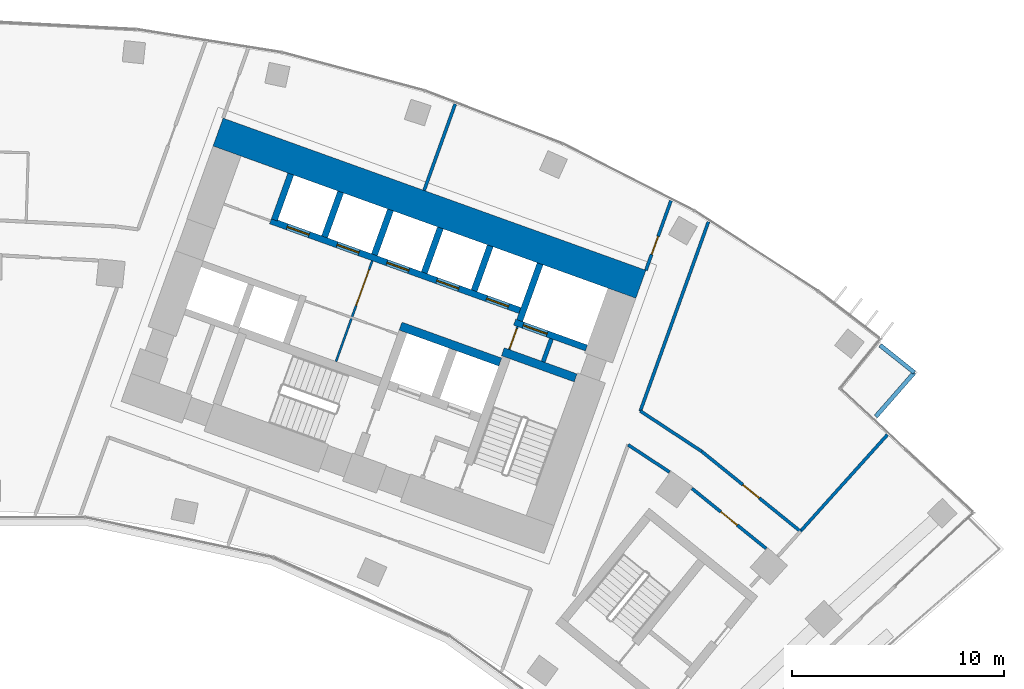
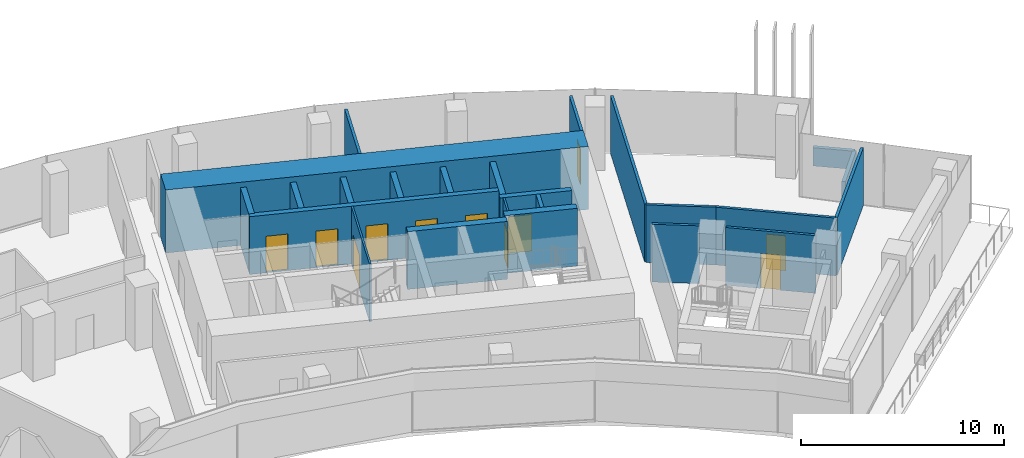
# One storey, part 17 of 20: 24 walls, 11 doors, 11 openings.
"""IFC4 building model written with IfcOpenShell, lengths in metres."""

import ifcopenshell
import ifcopenshell.guid

model = None  # the IFC model being written
_history = None  # IfcOwnerHistory: only IFC2X3 demands one
_inside = {}  # id of a spatial element -> (the spatial element, [elements in it])
_under = {}  # id of a project, library or spatial element -> (it, [spatial elements below it])
_declared = {}  # id of a project -> (the project, [libraries it declares])
_typed = {}  # id of a type object -> (the type object, [elements of that type])
_made_of = {}  # id of a material, layer set ... -> (it, [elements and type objects made of it])


def new_model(schema):
    """Start an empty IFC model of exactly this schema.

    Asked for "IFC4X3", IfcOpenShell would pick the latest addendum, in which some entities
    have other attributes; the version numbers below select the first issue.
    IFC2X3 requires an IfcOwnerHistory on every rooted entity: one is made here for all.
    """
    global model, _history
    if schema == "IFC4X3":
        model = ifcopenshell.file(schema_version=(4, 3, 0, 0))
    else:
        model = ifcopenshell.file(schema=schema)
    _inside.clear()
    _under.clear()
    _declared.clear()
    _typed.clear()
    _made_of.clear()
    _history = None
    if model.schema == "IFC2X3":
        org = make("IfcOrganization", Name="unknown")
        user = make(
            "IfcPersonAndOrganization",
            ThePerson=make("IfcPerson", FamilyName="unknown"),
            TheOrganization=org,
        )
        app = make(
            "IfcApplication",
            ApplicationDeveloper=org,
            Version="unknown",
            ApplicationFullName="unknown",
            ApplicationIdentifier="unknown",
        )
        _history = make(
            "IfcOwnerHistory",
            OwningUser=user,
            OwningApplication=app,
            ChangeAction="ADDED",
            CreationDate=0,
        )
    return model


def make(cls, **values):
    """One entity of the class cls with the attributes given. An attribute that is None is left unset."""
    return model.create_entity(
        cls, **{name: value for name, value in values.items() if value is not None}
    )


def rooted(cls, **values):
    """An entity with a GlobalId (a new one), such as an element, a storey or a relation."""
    return make(cls, GlobalId=ifcopenshell.guid.new(), OwnerHistory=_history, **values)


def si_unit(unit_type, name, prefix=None):
    """IfcSIUnit, for example si_unit("LENGTHUNIT", "METRE", prefix="MILLI")."""
    return make("IfcSIUnit", UnitType=unit_type, Prefix=prefix, Name=name)


def assignment(units):
    """IfcUnitAssignment: the units of a project."""
    return None if units is None else make("IfcUnitAssignment", Units=units)


def point(xyz):
    """IfcCartesianPoint."""
    return None if xyz is None else make("IfcCartesianPoint", Coordinates=xyz)


def direction(xyz):
    """IfcDirection."""
    return None if xyz is None else make("IfcDirection", DirectionRatios=xyz)


def frame(location, z_axis=None, x_axis=None):
    """IfcAxis2Placement3D, a coordinate frame: its origin and axes. An axis left out is left unset."""
    return make(
        "IfcAxis2Placement3D",
        Location=point(location),
        Axis=direction(z_axis),
        RefDirection=direction(x_axis),
    )


def frame_2d(location, x_axis=None):
    """IfcAxis2Placement2D, a coordinate frame in the plane: its origin and x axis."""
    return make(
        "IfcAxis2Placement2D", Location=point(location), RefDirection=direction(x_axis)
    )


def origin():
    """The frame at (0, 0, 0) with its axes left unset."""
    return frame((0.0, 0.0, 0.0))


def place(relative_to, where):
    """IfcLocalPlacement: puts the frame where relative to a parent placement (None: the world)."""
    return make(
        "IfcLocalPlacement", PlacementRelTo=relative_to, RelativePlacement=where
    )


def context(
    kind, dimensions, precision=None, world=None, true_north=None, identifier=None
):
    """IfcGeometricRepresentationContext, for example the 3D "Model" context."""
    return make(
        "IfcGeometricRepresentationContext",
        ContextIdentifier=identifier,
        ContextType=kind,
        CoordinateSpaceDimension=dimensions,
        Precision=precision,
        WorldCoordinateSystem=world,
        TrueNorth=true_north,
    )


def subcontext(parent, identifier, kind, view, scale=None):
    """IfcGeometricRepresentationSubContext, for example "Body" below "Model"."""
    return make(
        "IfcGeometricRepresentationSubContext",
        ContextIdentifier=identifier,
        ContextType=kind,
        ParentContext=parent,
        TargetScale=scale,
        TargetView=view,
    )


def project(units=None, contexts=None):
    """IfcProject with its units and contexts."""
    return rooted(
        "IfcProject",
        Name="project",
        RepresentationContexts=contexts,
        UnitsInContext=assignment(units),
    )


def spatial(cls, under=None, at=None, **own):
    """A site, building, storey or space (cls), placed at a placement, below another one or the project."""
    s = rooted(cls, ObjectPlacement=at, **own)
    if under is not None:
        _under.setdefault(under.id(), (under, []))[1].append(s)
    return s


def profile(cls, at=None, kind="AREA", **sizes):
    """A parametric profile (cls). Its sizes go by their IFC names, for example OverallWidth=200.0."""
    return make(cls, ProfileType=kind, Position=at, **sizes)


def rectangle(**sizes):
    """IfcRectangleProfileDef."""
    return profile("IfcRectangleProfileDef", **sizes)


def extrude(swept, where, along, depth):
    """IfcExtrudedAreaSolid: the profile swept, set in the frame where, extruded along a direction by depth."""
    return make(
        "IfcExtrudedAreaSolid",
        SweptArea=swept,
        Position=where,
        ExtrudedDirection=direction(along),
        Depth=depth,
    )


def shape(context_of_items, identifier, shape_type, items):
    """IfcShapeRepresentation: the items that make up one representation, for example the "Body"."""
    return make(
        "IfcShapeRepresentation",
        ContextOfItems=context_of_items,
        RepresentationIdentifier=identifier,
        RepresentationType=shape_type,
        Items=items,
    )


def material(Name=None, Category=None):
    """IfcMaterial."""
    return make("IfcMaterial", Name=Name, Category=Category)


def layer(
    of_material, thickness, ventilated=None, Name=None, Category=None, Priority=None
):
    """IfcMaterialLayer: one layer of a wall or slab, of a material (None: an air gap)."""
    return make(
        "IfcMaterialLayer",
        Material=of_material,
        LayerThickness=thickness,
        IsVentilated=ventilated,
        Name=Name,
        Category=Category,
        Priority=Priority,
    )


def layer_set(layers, Name=None):
    """IfcMaterialLayerSet."""
    return make("IfcMaterialLayerSet", MaterialLayers=layers, LayerSetName=Name)


def made_of(thing, what):
    """Note that an element or type object is made of a material, layer set ...; save() writes the relation."""
    if what is not None:
        _made_of.setdefault(what.id(), (what, []))[1].append(thing)
    return thing


def type_object(cls, material=None, **own):
    """A type object (cls), such as IfcWallType, which elements share."""
    return made_of(rooted(cls, **own), material)


def element(
    cls,
    number,
    at=None,
    inside=None,
    cuts=None,
    type_object=None,
    material=None,
    context=None,
    identifier="Body",
    shape_type=None,
    held_by="IfcProductDefinitionShape",
    body=None,
    shapes=None,
    **own,
):
    """One element of the class cls, such as IfcWall. Its Tag is "e" and its number.

    at: its placement. inside: the storey or other place that contains it. cuts: it is an
    opening in that element (IfcRelVoidsElement). A single representation is given by context,
    identifier, shape_type and body (its items); several are given by shapes. held_by: the class
    of the entity that holds the representations. save() writes the other relations.
    """
    e = rooted(cls, Tag="e%d" % number, ObjectPlacement=at, **own)
    if body is not None:
        shapes = [shape(context, identifier, shape_type, body)]
    if shapes is not None:
        e.Representation = make(held_by, Representations=shapes)
    if inside is not None:
        _inside.setdefault(inside.id(), (inside, []))[1].append(e)
    if cuts is not None:
        rooted(
            "IfcRelVoidsElement", RelatingBuildingElement=cuts, RelatedOpeningElement=e
        )
    if type_object is not None:
        _typed.setdefault(type_object.id(), (type_object, []))[1].append(e)
    return made_of(e, material)


def fill(opening, filler):
    """IfcRelFillsElement: the door or window that sits in an opening."""
    return rooted(
        "IfcRelFillsElement",
        RelatingOpeningElement=opening,
        RelatedBuildingElement=filler,
    )


def aggregate(whole, parts):
    """IfcRelAggregates: a whole, such as a stair, and the parts it consists of."""
    return rooted("IfcRelAggregates", RelatingObject=whole, RelatedObjects=parts)


def save(model, path):
    """Write the relations noted so far, then the file.

    IfcRelAggregates (storeys below a building ...), IfcRelContainedInSpatialStructure (elements
    in a storey), IfcRelDefinesByType, IfcRelAssociatesMaterial and IfcRelDeclares: one each for
    every whole, place, type object, material and project.
    """
    for whole, parts in _under.values():
        aggregate(whole, parts)
    for where, things in _inside.values():
        rooted(
            "IfcRelContainedInSpatialStructure",
            RelatedElements=things,
            RelatingStructure=where,
        )
    for kind, things in _typed.values():
        rooted("IfcRelDefinesByType", RelatedObjects=things, RelatingType=kind)
    for what, things in _made_of.values():
        rooted("IfcRelAssociatesMaterial", RelatedObjects=things, RelatingMaterial=what)
    for by, libraries in _declared.values():
        rooted("IfcRelDeclares", RelatingContext=by, RelatedDefinitions=libraries)
    model.write(path)


model = new_model("IFC4")

# Units and contexts
model_context = context("Model", 3, precision=1e-05, world=origin(), true_north=direction((0.0, 1.0)))
body_context = subcontext(model_context, "Body", "Model", "MODEL_VIEW")
ifc_project = project(units=[si_unit("LENGTHUNIT", "METRE"), si_unit("AREAUNIT", "SQUARE_METRE"), si_unit("VOLUMEUNIT", "CUBIC_METRE"), si_unit("PLANEANGLEUNIT", "RADIAN"), si_unit("MASSUNIT", "GRAM", prefix="KILO")], contexts=[model_context])

# Site, building, storey
site_placement = place(None, origin())
site = spatial("IfcSite", under=ifc_project, at=site_placement, CompositionType="ELEMENT")
building_placement = place(site_placement, origin())
building = spatial("IfcBuilding", under=site, at=building_placement, Name="Stone Belt Terrace Tower", CompositionType="ELEMENT")
storey_placement = place(building_placement, frame((0.0, 0.0, 182.0)))
storey = spatial("IfcBuildingStorey", under=building, at=storey_placement, Name="L44", CompositionType="ELEMENT", Elevation=182.0)

# Wall, opening, door
ifc_material_1 = material(Name="Plasterboard partition")
ifc_layer_1 = layer(ifc_material_1, 0.10009765625)
ifc_layer_set_1 = layer_set([ifc_layer_1], Name="Core partition 100")
wall_type_1 = type_object("IfcWallType", Name="Core partition 100", PredefinedType="PARTITIONING", material=ifc_layer_set_1)
wall_1_placement = place(storey_placement, frame((24.555908203125, 51.10400390625, 0.0), z_axis=(0.0, 0.0, 1.0), x_axis=(0.338621735342, 0.94092258999, 0.0)))
wall_1 = element("IfcWall", 1, at=wall_1_placement, inside=storey, type_object=wall_type_1, Name="Core B wall", PredefinedType="PARTITIONING", context=body_context, shape_type="SweptSolid", body=[
    extrude(rectangle(XDim=1.14990234375, YDim=0.10009765625, at=frame_2d((0.574951171875, 0.0))), origin(), (0.0, 0.0, 1.0), 3.47998046875),
])
opening_1_placement = place(wall_1_placement, frame((0.050048828125, 0.0, 0.0)))
opening_1 = element("IfcOpeningElement", 2, at=opening_1_placement, cuts=wall_1, Name="Opening L44-C19", PredefinedType="OPENING", context=body_context, shape_type="SweptSolid", body=[
    extrude(rectangle(XDim=1.0, YDim=2.10009765625, at=frame_2d((0.5, 1.050048828125))), frame((0.0, 0.06005859375, 0.0), z_axis=(0.0, -1.0, 0.0), x_axis=(1.0, 0.0, 0.0)), (0.0, 0.0, 1.0), 0.1201171875),
])
ifc_material_2 = material(Name="Timber door leaf", Category="wood")
door_type_1 = type_object("IfcDoorType", Name="Core room door 1000", OperationType="SINGLE_SWING_LEFT", PredefinedType="DOOR", material=ifc_material_2)
door_1_placement = place(opening_1_placement, origin())
door_1 = element("IfcDoor", 3, at=door_1_placement, inside=storey, type_object=door_type_1, Name="Service lift lobby door core B", OperationType="SINGLE_SWING_RIGHT", OverallHeight=2.10009765625, OverallWidth=1.0, PredefinedType="DOOR", context=body_context, shape_type="SweptSolid", body=[
    extrude(rectangle(XDim=1.0, YDim=2.10009765625, at=frame_2d((0.5, 1.050048828125))), frame((0.0, 0.02490234375, 0.0), z_axis=(0.0, -1.0, 0.0), x_axis=(1.0, 0.0, 0.0)), (0.0, 0.0, 1.0), 0.050048828125),
])
fill(opening_1, door_1)

wall_2_placement = place(storey_placement, frame((16.38134765625, 50.53857421875, 0.0), z_axis=(0.0, 0.0, 1.0), x_axis=(0.33860476744, 0.940928696271, 0.0)))
wall_2 = element("IfcWall", 4, at=wall_2_placement, inside=storey, type_object=wall_type_1, Name="Core B wall", PredefinedType="PARTITIONING", context=body_context, shape_type="SweptSolid", body=[
    extrude(rectangle(XDim=5.050048828125, YDim=0.10009765625, at=frame_2d((2.52490234375, 0.0))), origin(), (0.0, 0.0, 1.0), 3.47998046875),
])
opening_2_placement = place(wall_2_placement, frame((2.800048828125, 0.0, 0.0)))
opening_2 = element("IfcOpeningElement", 5, at=opening_2_placement, cuts=wall_2, Name="Opening L44-C20", PredefinedType="OPENING", context=body_context, shape_type="SweptSolid", body=[
    extrude(rectangle(XDim=1.800048828125, YDim=2.10009765625, at=frame_2d((0.89990234375, 1.050048828125))), frame((0.0, 0.06005859375, 0.0), z_axis=(0.0, -1.0, 0.0), x_axis=(1.0, 0.0, 0.0)), (0.0, 0.0, 1.0), 0.1201171875),
])
ifc_material_3 = material(Name="Glazed aluminium door leaf", Category="aluminium")
door_type_2 = type_object("IfcDoorType", Name="Lift lobby entrance door 1800", OperationType="DOUBLE_DOOR_SINGLE_SWING", PredefinedType="DOOR", material=ifc_material_3)
door_2_placement = place(opening_2_placement, origin())
door_2 = element("IfcDoor", 6, at=door_2_placement, inside=storey, type_object=door_type_2, Name="Lift lobby double door core B", OperationType="DOUBLE_DOOR_SINGLE_SWING", OverallHeight=2.10009765625, OverallWidth=1.800048828125, PredefinedType="DOOR", context=body_context, shape_type="SweptSolid", body=[
    extrude(rectangle(XDim=1.800048828125, YDim=2.10009765625, at=frame_2d((0.89990234375, 1.050048828125))), frame((0.0, 0.02490234375, 0.0), z_axis=(0.0, -1.0, 0.0), x_axis=(1.0, 0.0, 0.0)), (0.0, 0.0, 1.0), 0.050048828125),
])
fill(opening_2, door_2)

# Walls
ifc_material_4 = material(Name="Concrete B80", Category="concrete")
ifc_layer_2 = layer(ifc_material_4, 1.39990234375)
ifc_layer_set_2 = layer_set([ifc_layer_2], Name="Core wall 1400 B80")
wall_type_2 = type_object("IfcWallType", Name="Core wall 1400 B80", PredefinedType="SHEAR", material=ifc_layer_set_2)
wall_3_placement = place(storey_placement, frame((10.81787109375, 61.362060546875, 0.0), z_axis=(0.0, 0.0, 1.0), x_axis=(0.940919704758, -0.338629752382, 0.0)))
element("IfcWall", 7, at=wall_3_placement, inside=storey, type_object=wall_type_2, Name="Core B wall convex L44", PredefinedType="SHEAR", context=body_context, shape_type="SweptSolid", body=[
    extrude(rectangle(XDim=21.199951171875, YDim=1.39990234375, at=frame_2d((10.60009765625, 0.0))), origin(), (0.0, 0.0, 1.0), 3.800048828125),
])
ifc_layer_3 = layer(ifc_material_4, 0.39990234375)
ifc_layer_set_3 = layer_set([ifc_layer_3], Name="Fire-fighting lift shaft wall 400")
wall_type_3 = type_object("IfcWallType", Name="Fire-fighting lift shaft wall 400", PredefinedType="SHEAR", material=ifc_layer_set_3)
wall_4_placement = place(storey_placement, frame((24.130615234375, 50.512939453125, 0.0), z_axis=(0.0, 0.0, 1.0), x_axis=(-0.94091168377, 0.338652038744, 0.0)))
element("IfcWall", 8, at=wall_4_placement, inside=storey, type_object=wall_type_3, Name="Core B wall", PredefinedType="SHEAR", context=body_context, shape_type="SweptSolid", body=[
    extrude(rectangle(XDim=5.000244140625, YDim=0.39990234375, at=frame_2d((2.5, 0.0))), origin(), (0.0, 0.0, 1.0), 3.47998046875),
])

# Wall, opening, door
ifc_layer_4 = layer(ifc_material_4, 0.300048828125)
ifc_layer_set_4 = layer_set([ifc_layer_4], Name="Lift shaft wall 300")
wall_type_4 = type_object("IfcWallType", Name="Lift shaft wall 300", PredefinedType="SHEAR", material=ifc_layer_set_4)
wall_5_placement = place(storey_placement, frame((28.195068359375, 51.17578125, 0.0), z_axis=(0.0, 0.0, 1.0), x_axis=(-0.940901243567, 0.338681044427, 0.0)))
wall_5 = element("IfcWall", 9, at=wall_5_placement, inside=storey, type_object=wall_type_4, Name="Core B wall", PredefinedType="SHEAR", context=body_context, shape_type="SweptSolid", body=[
    extrude(rectangle(XDim=3.599853515625, YDim=0.300048828125, at=frame_2d((1.7998046875, 0.0))), origin(), (0.0, 0.0, 1.0), 3.47998046875),
])
opening_3_placement = place(wall_5_placement, frame((1.969970703125, 0.0, 0.0)))
opening_3 = element("IfcOpeningElement", 10, at=opening_3_placement, cuts=wall_5, Name="Opening L44-LD16", PredefinedType="OPENING", context=body_context, shape_type="SweptSolid", body=[
    extrude(rectangle(XDim=1.199951171875, YDim=2.199951171875, at=frame_2d((0.60009765625, 1.10009765625))), frame((0.0, 0.159912109375, 0.0), z_axis=(0.0, -1.0, 0.0), x_axis=(1.0, 0.0, 0.0)), (0.0, 0.0, 1.0), 0.320068359375),
])
ifc_material_5 = material(Name="Stainless steel door leaf", Category="steel")
door_type_3 = type_object("IfcDoorType", Name="Landing door 1200", OperationType="SLIDING_TO_LEFT", PredefinedType="DOOR", material=ifc_material_5)
door_3_placement = place(opening_3_placement, origin())
door_3 = element("IfcDoor", 11, at=door_3_placement, inside=storey, type_object=door_type_3, Name="Landing door SV1 core B", OperationType="SLIDING_TO_LEFT", OverallHeight=2.199951171875, OverallWidth=1.199951171875, PredefinedType="DOOR", context=body_context, shape_type="SweptSolid", body=[
    extrude(rectangle(XDim=1.199951171875, YDim=2.199951171875, at=frame_2d((0.60009765625, 1.10009765625))), frame((0.0, 0.02490234375, 0.0), z_axis=(0.0, -1.0, 0.0), x_axis=(1.0, 0.0, 0.0)), (0.0, 0.0, 1.0), 0.050048828125),
])
fill(opening_3, door_3)

# Wall
wall_6_placement = place(storey_placement, frame((25.046875, 52.46826171875, 0.0), z_axis=(0.0, 0.0, 1.0), x_axis=(0.338549588058, 0.940948551423, 0.0)))
element("IfcWall", 12, at=wall_6_placement, inside=storey, type_object=wall_type_4, Name="Core B wall", PredefinedType="SHEAR", context=body_context, shape_type="SweptSolid", body=[
    extrude(rectangle(XDim=2.849853515625, YDim=0.300048828125, at=frame_2d((1.4248046875, 0.0))), origin(), (0.0, 0.0, 1.0), 3.47998046875),
])

# Wall, openings, doors
wall_7_placement = place(storey_placement, frame((25.05810546875, 52.9423828125, 0.0), z_axis=(0.0, 0.0, 1.0), x_axis=(-0.940920770291, 0.338626791666, 0.0)))
wall_7 = element("IfcWall", 13, at=wall_7_placement, inside=storey, type_object=wall_type_4, Name="Core B wall", PredefinedType="SHEAR", context=body_context, shape_type="SweptSolid", body=[
    extrude(rectangle(XDim=12.500244140625, YDim=0.300048828125, at=frame_2d((6.25, 0.0))), origin(), (0.0, 0.0, 1.0), 3.47998046875),
])
opening_4_placement = place(wall_7_placement, frame((0.570068359375, 0.0, 0.0)))
opening_4 = element("IfcOpeningElement", 14, at=opening_4_placement, cuts=wall_7, Name="Opening L44-LD09", PredefinedType="OPENING", context=body_context, shape_type="SweptSolid", body=[
    extrude(rectangle(XDim=1.10009765625, YDim=2.199951171875, at=frame_2d((0.550048828125, 1.10009765625))), frame((0.0, 0.159912109375, 0.0), z_axis=(0.0, -1.0, 0.0), x_axis=(1.0, 0.0, 0.0)), (0.0, 0.0, 1.0), 0.320068359375),
])
opening_5_placement = place(wall_7_placement, frame((3.070068359375, 0.0, 0.0)))
opening_5 = element("IfcOpeningElement", 15, at=opening_5_placement, cuts=wall_7, Name="Opening L44-LD10", PredefinedType="OPENING", context=body_context, shape_type="SweptSolid", body=[
    extrude(rectangle(XDim=1.10009765625, YDim=2.199951171875, at=frame_2d((0.550048828125, 1.10009765625))), frame((0.0, 0.159912109375, 0.0), z_axis=(0.0, -1.0, 0.0), x_axis=(1.0, 0.0, 0.0)), (0.0, 0.0, 1.0), 0.320068359375),
])
opening_6_placement = place(wall_7_placement, frame((5.570068359375, 0.0, 0.0)))
opening_6 = element("IfcOpeningElement", 16, at=opening_6_placement, cuts=wall_7, Name="Opening L44-LD11", PredefinedType="OPENING", context=body_context, shape_type="SweptSolid", body=[
    extrude(rectangle(XDim=1.10009765625, YDim=2.199951171875, at=frame_2d((0.550048828125, 1.10009765625))), frame((0.0, 0.159912109375, 0.0), z_axis=(0.0, -1.0, 0.0), x_axis=(1.0, 0.0, 0.0)), (0.0, 0.0, 1.0), 0.320068359375),
])
opening_7_placement = place(wall_7_placement, frame((8.070068359375, 0.0, 0.0)))
opening_7 = element("IfcOpeningElement", 17, at=opening_7_placement, cuts=wall_7, Name="Opening L44-LD12", PredefinedType="OPENING", context=body_context, shape_type="SweptSolid", body=[
    extrude(rectangle(XDim=1.10009765625, YDim=2.199951171875, at=frame_2d((0.550048828125, 1.10009765625))), frame((0.0, 0.159912109375, 0.0), z_axis=(0.0, -1.0, 0.0), x_axis=(1.0, 0.0, 0.0)), (0.0, 0.0, 1.0), 0.320068359375),
])
opening_8_placement = place(wall_7_placement, frame((10.570068359375, 0.0, 0.0)))
opening_8 = element("IfcOpeningElement", 18, at=opening_8_placement, cuts=wall_7, Name="Opening L44-LD13", PredefinedType="OPENING", context=body_context, shape_type="SweptSolid", body=[
    extrude(rectangle(XDim=1.10009765625, YDim=2.199951171875, at=frame_2d((0.550048828125, 1.10009765625))), frame((0.0, 0.159912109375, 0.0), z_axis=(0.0, -1.0, 0.0), x_axis=(1.0, 0.0, 0.0)), (0.0, 0.0, 1.0), 0.320068359375),
])
door_type_4 = type_object("IfcDoorType", Name="Landing door 1100", OperationType="SLIDING_TO_LEFT", PredefinedType="DOOR", material=ifc_material_5)
door_4_placement = place(opening_4_placement, origin())
door_4 = element("IfcDoor", 19, at=door_4_placement, inside=storey, type_object=door_type_4, Name="Landing door MR1 core B", OperationType="SLIDING_TO_LEFT", OverallHeight=2.199951171875, OverallWidth=1.10009765625, PredefinedType="DOOR", context=body_context, shape_type="SweptSolid", body=[
    extrude(rectangle(XDim=1.10009765625, YDim=2.199951171875, at=frame_2d((0.550048828125, 1.10009765625))), frame((0.0, 0.02490234375, 0.0), z_axis=(0.0, -1.0, 0.0), x_axis=(1.0, 0.0, 0.0)), (0.0, 0.0, 1.0), 0.050048828125),
])
fill(opening_4, door_4)
door_5_placement = place(opening_5_placement, origin())
door_5 = element("IfcDoor", 20, at=door_5_placement, inside=storey, type_object=door_type_4, Name="Landing door MR2 core B", OperationType="SLIDING_TO_LEFT", OverallHeight=2.199951171875, OverallWidth=1.10009765625, PredefinedType="DOOR", context=body_context, shape_type="SweptSolid", body=[
    extrude(rectangle(XDim=1.10009765625, YDim=2.199951171875, at=frame_2d((0.550048828125, 1.10009765625))), frame((0.0, 0.02490234375, 0.0), z_axis=(0.0, -1.0, 0.0), x_axis=(1.0, 0.0, 0.0)), (0.0, 0.0, 1.0), 0.050048828125),
])
fill(opening_5, door_5)
door_6_placement = place(opening_6_placement, origin())
door_6 = element("IfcDoor", 21, at=door_6_placement, inside=storey, type_object=door_type_4, Name="Landing door MR3 core B", OperationType="SLIDING_TO_LEFT", OverallHeight=2.199951171875, OverallWidth=1.10009765625, PredefinedType="DOOR", context=body_context, shape_type="SweptSolid", body=[
    extrude(rectangle(XDim=1.10009765625, YDim=2.199951171875, at=frame_2d((0.550048828125, 1.10009765625))), frame((0.0, 0.02490234375, 0.0), z_axis=(0.0, -1.0, 0.0), x_axis=(1.0, 0.0, 0.0)), (0.0, 0.0, 1.0), 0.050048828125),
])
fill(opening_6, door_6)
door_7_placement = place(opening_7_placement, origin())
door_7 = element("IfcDoor", 22, at=door_7_placement, inside=storey, type_object=door_type_4, Name="Landing door MR4 core B", OperationType="SLIDING_TO_LEFT", OverallHeight=2.199951171875, OverallWidth=1.10009765625, PredefinedType="DOOR", context=body_context, shape_type="SweptSolid", body=[
    extrude(rectangle(XDim=1.10009765625, YDim=2.199951171875, at=frame_2d((0.550048828125, 1.10009765625))), frame((0.0, 0.02490234375, 0.0), z_axis=(0.0, -1.0, 0.0), x_axis=(1.0, 0.0, 0.0)), (0.0, 0.0, 1.0), 0.050048828125),
])
fill(opening_7, door_7)
door_8_placement = place(opening_8_placement, origin())
door_8 = element("IfcDoor", 23, at=door_8_placement, inside=storey, type_object=door_type_4, Name="Landing door MR5 core B", OperationType="SLIDING_TO_LEFT", OverallHeight=2.199951171875, OverallWidth=1.10009765625, PredefinedType="DOOR", context=body_context, shape_type="SweptSolid", body=[
    extrude(rectangle(XDim=1.10009765625, YDim=2.199951171875, at=frame_2d((0.550048828125, 1.10009765625))), frame((0.0, 0.02490234375, 0.0), z_axis=(0.0, -1.0, 0.0), x_axis=(1.0, 0.0, 0.0)), (0.0, 0.0, 1.0), 0.050048828125),
])
fill(opening_8, door_8)

# Walls
wall_8_placement = place(storey_placement, frame((22.897705078125, 53.87939453125, 0.0), z_axis=(0.0, 0.0, 1.0), x_axis=(0.338535034312, 0.940953787677, 0.0)))
element("IfcWall", 24, at=wall_8_placement, inside=storey, type_object=wall_type_4, Name="Core B wall", PredefinedType="SHEAR", context=body_context, shape_type="SweptSolid", body=[
    extrude(rectangle(XDim=2.25, YDim=0.300048828125, at=frame_2d((1.125, 0.0))), origin(), (0.0, 0.0, 1.0), 3.47998046875),
])
wall_9_placement = place(storey_placement, frame((20.54541015625, 54.72607421875, 0.0), z_axis=(0.0, 0.0, 1.0), x_axis=(0.338569601369, 0.940941350472, 0.0)))
element("IfcWall", 25, at=wall_9_placement, inside=storey, type_object=wall_type_4, Name="Core B wall", PredefinedType="SHEAR", context=body_context, shape_type="SweptSolid", body=[
    extrude(rectangle(XDim=2.249755859375, YDim=0.300048828125, at=frame_2d((1.125, 0.0))), origin(), (0.0, 0.0, 1.0), 3.47998046875),
])
wall_10_placement = place(storey_placement, frame((18.193115234375, 55.572509765625, 0.0), z_axis=(0.0, 0.0, 1.0), x_axis=(0.338535034312, 0.940953787677, 0.0)))
element("IfcWall", 26, at=wall_10_placement, inside=storey, type_object=wall_type_4, Name="Core B wall", PredefinedType="SHEAR", context=body_context, shape_type="SweptSolid", body=[
    extrude(rectangle(XDim=2.25, YDim=0.300048828125, at=frame_2d((1.125, 0.0))), origin(), (0.0, 0.0, 1.0), 3.47998046875),
])
wall_11_placement = place(storey_placement, frame((15.8408203125, 56.419189453125, 0.0), z_axis=(0.0, 0.0, 1.0), x_axis=(0.338569601369, 0.940941350472, 0.0)))
element("IfcWall", 27, at=wall_11_placement, inside=storey, type_object=wall_type_4, Name="Core B wall", PredefinedType="SHEAR", context=body_context, shape_type="SweptSolid", body=[
    extrude(rectangle(XDim=2.249755859375, YDim=0.300048828125, at=frame_2d((1.125, 0.0))), origin(), (0.0, 0.0, 1.0), 3.47998046875),
])
wall_12_placement = place(storey_placement, frame((13.471435546875, 57.218505859375, 0.0), z_axis=(0.0, 0.0, 1.0), x_axis=(0.338587917, 0.940934759939, 0.0)))
element("IfcWall", 28, at=wall_12_placement, inside=storey, type_object=wall_type_4, Name="Core B wall", PredefinedType="SHEAR", context=body_context, shape_type="SweptSolid", body=[
    extrude(rectangle(XDim=2.300048828125, YDim=0.300048828125, at=frame_2d((1.14990234375, 0.0))), origin(), (0.0, 0.0, 1.0), 3.47998046875),
])

# Wall, opening, door
ifc_material_6 = material(Name="Gypsum board partition")
ifc_layer_5 = layer(ifc_material_6, 0.14990234375)
ifc_layer_set_5 = layer_set([ifc_layer_5], Name="PARTITION 150 EI 60")
wall_type_5 = type_object("IfcWallType", Name="PARTITION 150 EI 60", PredefinedType="PARTITIONING", material=ifc_layer_set_5)
wall_13_placement = place(storey_placement, frame((31.001953125, 54.842041015625, 0.0), z_axis=(0.0, 0.0, 1.0), x_axis=(0.338662585219, 0.940907887826, 0.0)))
wall_13 = element("IfcWall", 29, at=wall_13_placement, inside=storey, type_object=wall_type_5, Name="L44/wall/i021", PredefinedType="PARTITIONING", context=body_context, shape_type="SweptSolid", body=[
    extrude(rectangle(XDim=3.49560546875, YDim=0.14990234375, at=frame_2d((1.747802734375, 0.0))), origin(), (0.0, 0.0, 1.0), 3.47998046875),
])
opening_9_placement = place(wall_13_placement, frame((0.798828125, 0.0, 0.0)))
opening_9 = element("IfcOpeningElement", 30, at=opening_9_placement, cuts=wall_13, Name="Opening D-C5-08", PredefinedType="OPENING", context=body_context, shape_type="SweptSolid", body=[
    extrude(rectangle(XDim=0.89990234375, YDim=2.10009765625, at=frame_2d((0.449951171875, 1.050048828125))), frame((0.0, 0.0849609375, 0.0), z_axis=(0.0, -1.0, 0.0), x_axis=(1.0, 0.0, 0.0)), (0.0, 0.0, 1.0), 0.169921875),
])
door_type_5 = type_object("IfcDoorType", Name="OFFICE DOOR 900 X 2100", OperationType="NOTDEFINED", PredefinedType="DOOR", material=ifc_material_2)
door_9_placement = place(opening_9_placement, origin())
door_9 = element("IfcDoor", 31, at=door_9_placement, inside=storey, type_object=door_type_5, Name="L44/door/i08", OperationType="SINGLE_SWING_LEFT", OverallHeight=2.10009765625, OverallWidth=0.89990234375, PredefinedType="DOOR", context=body_context, shape_type="SweptSolid", body=[
    extrude(rectangle(XDim=0.89990234375, YDim=2.10009765625, at=frame_2d((0.449951171875, 1.050048828125))), frame((0.0, 0.02490234375, 0.0), z_axis=(0.0, -1.0, 0.0), x_axis=(1.0, 0.0, 0.0)), (0.0, 0.0, 1.0), 0.050048828125),
])
fill(opening_9, door_9)

# Walls
wall_14_placement = place(storey_placement, frame((33.951904296875, 57.131103515625, 0.0), z_axis=(0.0, 0.0, 1.0), x_axis=(-0.338586530295, -0.940935258933, 0.0)))
element("IfcWall", 32, at=wall_14_placement, inside=storey, type_object=wall_type_5, Name="L44/wall/i024", PredefinedType="PARTITIONING", context=body_context, shape_type="SweptSolid", body=[
    extrude(rectangle(XDim=9.494873046875, YDim=0.14990234375, at=frame_2d((4.74755859375, 0.0))), origin(), (0.0, 0.0, 1.0), 3.47998046875),
])
wall_15_placement = place(storey_placement, frame((22.005859375, 62.68603515625, 0.0), z_axis=(0.0, 0.0, 1.0), x_axis=(-0.338647660264, -0.940913259657, 0.0)))
element("IfcWall", 33, at=wall_15_placement, inside=storey, type_object=wall_type_5, Name="L44/wall/i028", PredefinedType="PARTITIONING", context=body_context, shape_type="SweptSolid", body=[
    extrude(rectangle(XDim=4.334228515625, YDim=0.14990234375, at=frame_2d((2.1669921875, 0.0))), origin(), (0.0, 0.0, 1.0), 3.47998046875),
])
wall_16_placement = place(storey_placement, frame((38.287109375, 42.52099609375, 0.0), z_axis=(0.0, 0.0, 1.0), x_axis=(0.669070076375, 0.743199322457, 0.0)))
element("IfcWall", 34, at=wall_16_placement, inside=storey, type_object=wall_type_5, Name="L44/wall/i053", PredefinedType="PARTITIONING", context=body_context, shape_type="SweptSolid", body=[
    extrude(rectangle(XDim=6.1455078125, YDim=0.14990234375, at=frame_2d((3.07275390625, 0.0))), origin(), (0.0, 0.0, 1.0), 3.47998046875),
])

# Wall, opening, door
wall_17_placement = place(storey_placement, frame((36.677001953125, 41.712890625, 0.0), z_axis=(0.0, 0.0, 1.0), x_axis=(-0.777148951547, 0.629316698578, 0.0)))
wall_17 = element("IfcWall", 35, at=wall_17_placement, inside=storey, type_object=wall_type_5, Name="L44/wall/i054", PredefinedType="PARTITIONING", context=body_context, shape_type="SweptSolid", body=[
    extrude(rectangle(XDim=4.505126953125, YDim=0.14990234375, at=frame_2d((2.25244140625, 0.0))), origin(), (0.0, 0.0, 1.0), 3.47998046875),
])
opening_10_placement = place(wall_17_placement, frame((1.752685546875, 0.0, 0.0)))
opening_10 = element("IfcOpeningElement", 36, at=opening_10_placement, cuts=wall_17, Name="Opening D-C5-17", PredefinedType="OPENING", context=body_context, shape_type="SweptSolid", body=[
    extrude(rectangle(XDim=1.0, YDim=2.10009765625, at=frame_2d((0.5, 1.050048828125))), frame((0.0, 0.0849609375, 0.0), z_axis=(0.0, -1.0, 0.0), x_axis=(1.0, 0.0, 0.0)), (0.0, 0.0, 1.0), 0.169921875),
])
ifc_material_7 = material(Name="Timber fire door leaf", Category="wood")
door_type_6 = type_object("IfcDoorType", Name="TENANCY ENTRANCE DOOR 1000 X 2100", OperationType="NOTDEFINED", PredefinedType="DOOR", material=ifc_material_7)
door_10_placement = place(opening_10_placement, origin())
door_10 = element("IfcDoor", 37, at=door_10_placement, inside=storey, type_object=door_type_6, Name="L44/door/i17", OperationType="SINGLE_SWING_RIGHT", OverallHeight=2.10009765625, OverallWidth=1.0, PredefinedType="DOOR", context=body_context, shape_type="SweptSolid", body=[
    extrude(rectangle(XDim=1.0, YDim=2.10009765625, at=frame_2d((0.5, 1.050048828125))), frame((0.0, 0.02490234375, 0.0), z_axis=(0.0, -1.0, 0.0), x_axis=(1.0, 0.0, 0.0)), (0.0, 0.0, 1.0), 0.050048828125),
])
fill(opening_10, door_10)

# Walls
wall_18_placement = place(storey_placement, frame((32.1181640625, 45.3212890625, 0.0), z_axis=(0.0, 0.0, 1.0), x_axis=(-0.835406992815, 0.549631837102, 0.0)))
element("IfcWall", 38, at=wall_18_placement, inside=storey, type_object=wall_type_5, Name="L44/wall/i055", PredefinedType="PARTITIONING", context=body_context, shape_type="SweptSolid", body=[
    extrude(rectangle(XDim=2.339111328125, YDim=0.14990234375, at=frame_2d((1.16943359375, 0.0))), origin(), (0.0, 0.0, 1.0), 3.47998046875),
])
wall_19_placement = place(storey_placement, frame((30.739013671875, 48.202880859375, 0.0), z_axis=(0.0, 0.0, 1.0), x_axis=(0.835274160171, -0.549833681535, 0.0)))
element("IfcWall", 39, at=wall_19_placement, inside=storey, type_object=wall_type_5, Name="L44/wall/i056", PredefinedType="PARTITIONING", context=body_context, shape_type="SweptSolid", body=[
    extrude(rectangle(XDim=3.46826171875, YDim=0.14990234375, at=frame_2d((1.734130859375, 0.0))), origin(), (0.0, 0.0, 1.0), 3.47998046875),
])

# Wall, opening, door
wall_20_placement = place(storey_placement, frame((33.635986328125, 46.2958984375, 0.0), z_axis=(0.0, 0.0, 1.0), x_axis=(0.777109127033, -0.629365875054, 0.0)))
wall_20 = element("IfcWall", 40, at=wall_20_placement, inside=storey, type_object=wall_type_5, Name="L44/wall/i057", PredefinedType="PARTITIONING", context=body_context, shape_type="SweptSolid", body=[
    extrude(rectangle(XDim=5.990234375, YDim=0.14990234375, at=frame_2d((2.9951171875, 0.0))), origin(), (0.0, 0.0, 1.0), 3.47998046875),
])
opening_11_placement = place(wall_20_placement, frame((2.4951171875, 0.0, 0.0)))
opening_11 = element("IfcOpeningElement", 41, at=opening_11_placement, cuts=wall_20, Name="Opening D-C5-18", PredefinedType="OPENING", context=body_context, shape_type="SweptSolid", body=[
    extrude(rectangle(XDim=1.0, YDim=2.10009765625, at=frame_2d((0.5, 1.050048828125))), frame((0.0, 0.0849609375, 0.0), z_axis=(0.0, -1.0, 0.0), x_axis=(1.0, 0.0, 0.0)), (0.0, 0.0, 1.0), 0.169921875),
])
door_11_placement = place(opening_11_placement, origin())
door_11 = element("IfcDoor", 42, at=door_11_placement, inside=storey, type_object=door_type_6, Name="L44/door/i18", OperationType="SINGLE_SWING_RIGHT", OverallHeight=2.10009765625, OverallWidth=1.0, PredefinedType="DOOR", context=body_context, shape_type="SweptSolid", body=[
    extrude(rectangle(XDim=1.0, YDim=2.10009765625, at=frame_2d((0.5, 1.050048828125))), frame((0.0, 0.02490234375, 0.0), z_axis=(0.0, -1.0, 0.0), x_axis=(1.0, 0.0, 0.0)), (0.0, 0.0, 1.0), 0.050048828125),
])
fill(opening_11, door_11)

# Walls
ifc_material_8 = material(Name="Concrete masonry block", Category="masonry")
ifc_layer_6 = layer(ifc_material_8, 0.199951171875)
ifc_layer_set_6 = layer_set([ifc_layer_6], Name="Rated lobby wall 200")
wall_type_6 = type_object("IfcWallType", Name="Rated lobby wall 200", PredefinedType="PARTITIONING", material=ifc_layer_set_6)
wall_21_placement = place(storey_placement, frame((26.1552734375, 50.5283203125, 0.0), z_axis=(0.0, 0.0, 1.0), x_axis=(0.338621735342, 0.94092258999, 0.0)))
element("IfcWall", 43, at=wall_21_placement, inside=storey, type_object=wall_type_6, Name="Core B wall", PredefinedType="PARTITIONING", context=body_context, shape_type="SweptSolid", body=[
    extrude(rectangle(XDim=1.14990234375, YDim=0.199951171875, at=frame_2d((0.574951171875, 0.0))), origin(), (0.0, 0.0, 1.0), 3.47998046875),
])
ifc_material_9 = material(Name="Precast concrete C40/50", Category="concrete")
ifc_layer_7 = layer(ifc_material_9, 0.199951171875)
ifc_layer_set_7 = layer_set([ifc_layer_7], Name="Roof parapet 200 x 1100")
wall_type_7 = type_object("IfcWallType", Name="Roof parapet 200 x 1100", PredefinedType="PARAPET", material=ifc_layer_set_7)
wall_22_placement = place(storey_placement, frame((43.665283203125, 50.01708984375, 0.0), z_axis=(0.0, 0.0, 1.0), x_axis=(-0.781537705791, 0.623858008225, 0.0)))
element("IfcWall", 44, at=wall_22_placement, inside=storey, type_object=wall_type_7, Name="PARAPET L44", PredefinedType="PARAPET", context=body_context, shape_type="SweptSolid", body=[
    extrude(rectangle(XDim=2.06396484375, YDim=0.199951171875, at=frame_2d((1.031982421875, 0.0))), origin(), (0.0, 0.0, 1.0), 1.10009765625),
])
wall_23_placement = place(storey_placement, frame((41.849365234375, 47.943359375, 0.0), z_axis=(0.0, 0.0, 1.0), x_axis=(0.658793003946, 0.752324250541, 0.0)))
element("IfcWall", 45, at=wall_23_placement, inside=storey, type_object=wall_type_7, Name="PARAPET L44", PredefinedType="PARAPET", context=body_context, shape_type="SweptSolid", body=[
    extrude(rectangle(XDim=2.75634765625, YDim=0.199951171875, at=frame_2d((1.378173828125, 0.0))), origin(), (0.0, 0.0, 1.0), 1.10009765625),
])
ifc_layer_8 = layer(ifc_material_4, 0.39990234375)
ifc_layer_set_8 = layer_set([ifc_layer_8], Name="Stair enclosure wall 400")
wall_type_8 = type_object("IfcWallType", Name="Stair enclosure wall 400", PredefinedType="SHEAR", material=ifc_layer_set_8)
wall_24_placement = place(storey_placement, frame((27.687255859375, 49.764404296875, 0.0), z_axis=(0.0, 0.0, 1.0), x_axis=(-0.940918954884, 0.338631835981, 0.0)))
element("IfcWall", 46, at=wall_24_placement, inside=storey, type_object=wall_type_8, Name="Core B wall", PredefinedType="SHEAR", context=body_context, shape_type="SweptSolid", body=[
    extrude(rectangle(XDim=3.650146484375, YDim=0.39990234375, at=frame_2d((1.8251953125, 0.0))), origin(), (0.0, 0.0, 1.0), 3.47998046875),
])

save(model, "model.ifc")
